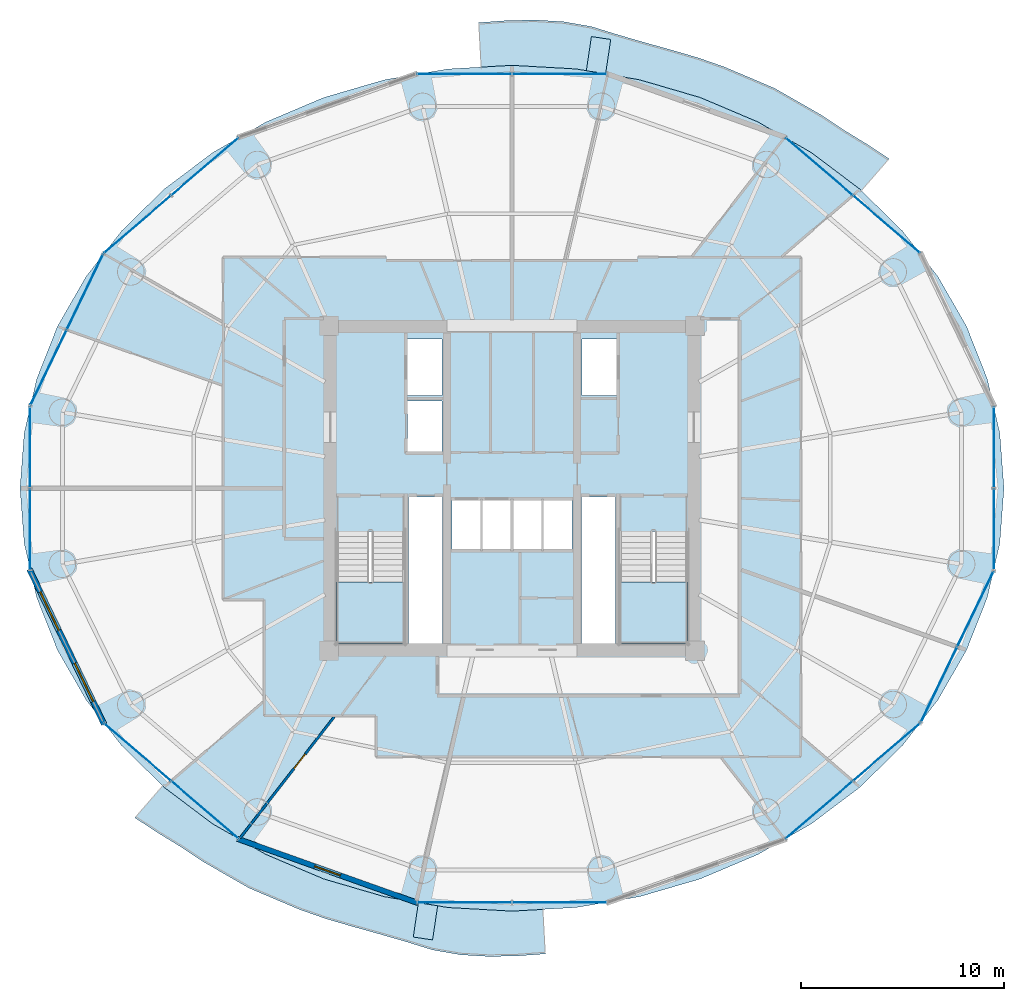
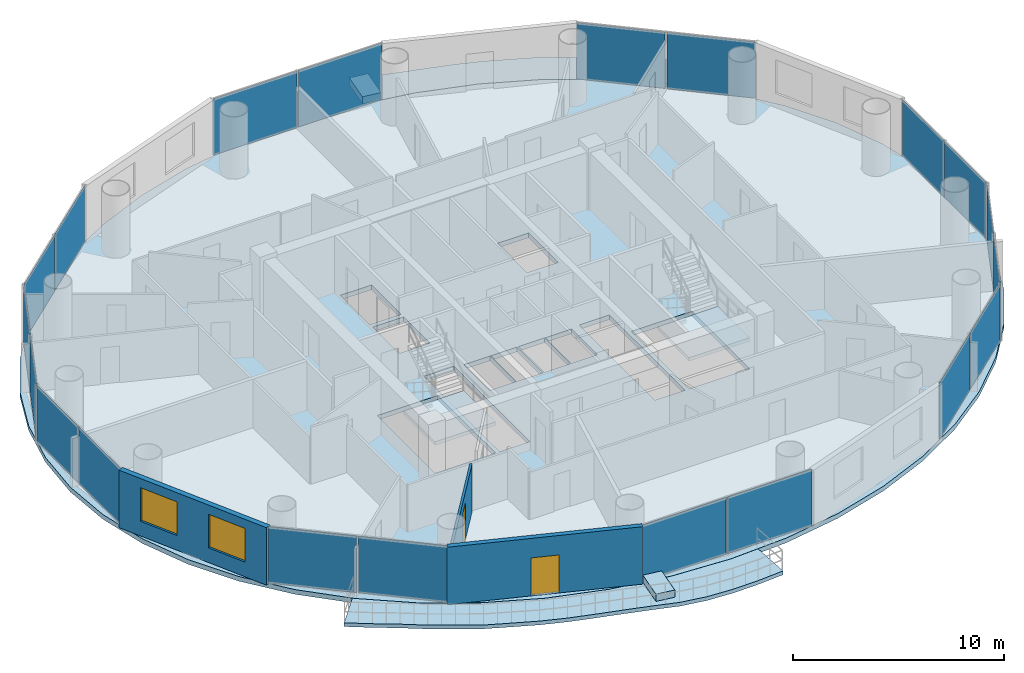
# One storey, part 19 of 26: 20 plates, 7 slabs, 3 walls, 2 doors, 2 windows, 4 openings, 12 elements without a shape of their own.
"""IFC4 building model written with IfcOpenShell, lengths in metres."""

from ifc_helpers import new_model, si_unit, direction, frame, frame_2d, origin, origin_2d, place, context, subcontext, project, spatial, polyline, rectangle, outline, extrude, source, transform, mapped, material, layer, layer_set, type_object, element, fill, aggregate, save


model = new_model("IFC4")

# Units and contexts
model_context = context("Model", 3, precision=1e-05, world=origin(), true_north=direction((-0.2419218956, 0.970295726276)))
body_context = subcontext(model_context, "Body", "Model", "MODEL_VIEW")
ifc_project = project(units=[si_unit("LENGTHUNIT", "METRE"), si_unit("AREAUNIT", "SQUARE_METRE"), si_unit("VOLUMEUNIT", "CUBIC_METRE"), si_unit("PLANEANGLEUNIT", "RADIAN"), si_unit("MASSUNIT", "GRAM", prefix="KILO")], contexts=[model_context])

# Site, building, storey
site_placement = place(None, origin())
site = spatial("IfcSite", under=ifc_project, at=site_placement, CompositionType="ELEMENT")
building_placement = place(site_placement, origin())
building = spatial("IfcBuilding", under=site, at=building_placement, Name="Cobrevalo Terracotta Tower", CompositionType="ELEMENT")
storey_placement = place(building_placement, frame((0.0, 0.0, 178.60009765625)))
storey = spatial("IfcBuildingStorey", under=building, at=storey_placement, Name="L47", CompositionType="ELEMENT", Elevation=178.60009765625)

# Stair, slab
ifc_material_1 = material(Name="Concrete C50", Category="concrete")
stair_type = type_object("IfcStairType", Name="Core protected escape dogleg stair 1600", PredefinedType="HALF_TURN_STAIR", material=ifc_material_1)
stair_1_placement = place(storey_placement, origin())
stair_1 = element("IfcStair", 1, at=stair_1_placement, inside=storey, type_object=stair_type, Name="L47 Protected exit stair ST-1", PredefinedType="HALF_TURN_STAIR")
ifc_layer_1 = layer(ifc_material_1, 0.199951171875)
ifc_layer_set_1 = layer_set([ifc_layer_1], Name="Concrete C50")
slab_type_1 = type_object("IfcSlabType", Name="Reinforced Concrete Stair Landing 200", PredefinedType="LANDING", material=ifc_layer_set_1)
slab_1_placement = place(storey_placement, frame((0.0, 0.0, 1.599853515625)))
slab_1 = element("IfcSlab", 2, at=slab_1_placement, type_object=slab_type_1, Name="ST-1 landing 1", PredefinedType="LANDING", context=body_context, shape_type="SweptSolid", body=[
    extrude(outline(polyline([(29.375, 22.179931640625), (29.375, 19.175048828125), (32.695068359375, 19.175048828125), (32.695068359375, 22.179931640625), (29.375, 22.179931640625)])), origin(), (0.0, 0.0, 1.0), 0.199951171875),
])
aggregate(stair_1, [slab_1])

stair_2_placement = place(storey_placement, origin())
stair_2 = element("IfcStair", 3, at=stair_2_placement, inside=storey, type_object=stair_type, Name="L47 Protected exit stair ST-2", PredefinedType="HALF_TURN_STAIR")
slab_2_placement = place(storey_placement, frame((0.0, 0.0, 1.599853515625)))
slab_2 = element("IfcSlab", 4, at=slab_2_placement, type_object=slab_type_1, Name="ST-2 landing 1", PredefinedType="LANDING", context=body_context, shape_type="SweptSolid", body=[
    extrude(outline(polyline([(43.304931640625, 22.179931640625), (43.304931640625, 19.175048828125), (46.625, 19.175048828125), (46.625, 22.179931640625), (43.304931640625, 22.179931640625)])), origin(), (0.0, 0.0, 1.0), 0.199951171875),
])
aggregate(stair_2, [slab_2])

# Slabs
ifc_material_2 = material(Name="Concrete C45", Category="concrete")
ifc_layer_2 = layer(ifc_material_2, 0.219970703125)
ifc_layer_set_2 = layer_set([ifc_layer_2], Name="Concrete C45")
slab_type_2 = type_object("IfcSlabType", Name="Spiralling cantilevered balcony lobe slab 220 mm", PredefinedType="FLOOR", material=ifc_layer_set_2)
slab_3_placement = place(storey_placement, frame((0.0, 0.0, -0.22021484375)))
element("IfcSlab", 5, at=slab_3_placement, inside=storey, type_object=slab_type_2, Name="L47 spiralling arc balcony slab lobe 1", PredefinedType="FLOOR", context=body_context, shape_type="SweptSolid", body=[
    extrude(outline(polyline([(56.55712890625, 43.002685546875), (55.449462890625, 43.729248046875), (54.325927734375, 44.418212890625), (53.230224609375, 45.1474609375), (52.078369140625, 45.810546875), (50.925048828125, 46.468994140625), (49.686767578125, 46.99755859375), (48.44775390625, 47.521728515625), (47.1728515625, 47.968505859375), (45.867919921875, 48.35009765625), (44.558837890625, 48.715087890625), (43.23583984375, 49.09716796875), (41.9033203125, 49.509765625), (40.532958984375, 49.748779296875), (39.141357421875, 49.831298828125), (37.749755859375, 49.804931640625), (36.362548828125, 49.703125), (36.481201171875, 47.516357421875), (38.0, 47.60205078125), (41.158935546875, 47.424072265625), (44.263916015625, 46.893310546875), (47.26171875, 46.0185546875), (50.10107421875, 44.81494140625), (52.733154296875, 43.30322265625), (55.11328125, 41.50927734375), (55.19287109375, 41.43115234375), (56.55712890625, 43.002685546875)])), origin(), (0.0, 0.0, 1.0), 0.22021484375),
])
slab_4_placement = place(storey_placement, frame((0.0, 0.0, -0.22021484375)))
element("IfcSlab", 6, at=slab_4_placement, inside=storey, type_object=slab_type_2, Name="L47 spiralling arc balcony slab lobe 2", PredefinedType="FLOOR", context=body_context, shape_type="SweptSolid", body=[
    extrude(outline(polyline([(19.44287109375, 10.597412109375), (20.550537109375, 9.87060546875), (21.674072265625, 9.181884765625), (22.769775390625, 8.45263671875), (23.921630859375, 7.78955078125), (25.074951171875, 7.131103515625), (26.313232421875, 6.602294921875), (27.55224609375, 6.078369140625), (28.8271484375, 5.63134765625), (30.132080078125, 5.25), (31.441162109375, 4.885009765625), (32.76416015625, 4.502685546875), (34.0966796875, 4.09033203125), (35.467041015625, 3.851318359375), (36.858642578125, 3.7685546875), (38.250244140625, 3.795166015625), (39.637451171875, 3.89697265625), (39.518798828125, 6.08349609375), (38.0, 5.998046875), (34.841064453125, 6.176025390625), (31.736083984375, 6.706787109375), (28.73828125, 7.58154296875), (25.89892578125, 8.784912109375), (23.266845703125, 10.296630859375), (20.88671875, 12.0908203125), (20.80712890625, 12.168701171875), (19.44287109375, 10.597412109375)])), origin(), (0.0, 0.0, 1.0), 0.22021484375),
])
ifc_material_3 = material(Name="Precast concrete C45", Category="concrete")
ifc_layer_3 = layer(ifc_material_3, 0.419921875)
ifc_layer_set_3 = layer_set([ifc_layer_3], Name="Precast concrete C45")
slab_type_3 = type_object("IfcSlabType", Name="Structural tree planter trough base 420 mm", PredefinedType="USERDEFINED", material=ifc_layer_set_3)
slab_5_placement = place(storey_placement, origin())
element("IfcSlab", 7, at=slab_5_placement, inside=storey, type_object=slab_type_3, Name="L47 structural tree planter trough 1", ObjectType="PLANTER", PredefinedType="USERDEFINED", context=body_context, shape_type="SweptSolid", body=[
    extrude(outline(polyline([(42.605712890625, 47.193603515625), (42.8564453125, 48.875), (41.90673828125, 49.0166015625), (41.65625, 47.335205078125), (42.605712890625, 47.193603515625)])), origin(), (0.0, 0.0, 1.0), 0.419921875),
])
slab_6_placement = place(storey_placement, origin())
element("IfcSlab", 8, at=slab_6_placement, inside=storey, type_object=slab_type_3, Name="L47 structural tree planter trough 2", ObjectType="PLANTER", PredefinedType="USERDEFINED", context=body_context, shape_type="SweptSolid", body=[
    extrude(outline(polyline([(33.394287109375, 6.406494140625), (33.1435546875, 4.724853515625), (34.09326171875, 4.58349609375), (34.34375, 6.264892578125), (33.394287109375, 6.406494140625)])), origin(), (0.0, 0.0, 1.0), 0.419921875),
])
ifc_layer_4 = layer(ifc_material_1, 0.27001953125)
ifc_layer_set_4 = layer_set([ifc_layer_4], Name="Concrete C50")
slab_type_4 = type_object("IfcSlabType", Name="Zone Z3 elliptical floor plate 270 mm", PredefinedType="FLOOR", material=ifc_layer_set_4)
slab_7_placement = place(storey_placement, frame((0.0, 0.0, -0.27001953125)))
element("IfcSlab", 9, at=slab_7_placement, inside=storey, type_object=slab_type_4, Name="L47 indoor elliptical floor slab", PredefinedType="FLOOR", context=body_context, shape_type="SweptSolid", body=[
    extrude(outline(polyline([(61.992919921875, 24.0849609375), (61.37548828125, 21.41650390625), (60.35791015625, 18.840087890625), (58.957763671875, 16.39990234375), (57.19921875, 14.1376953125), (55.112060546875, 12.09228515625), (52.73193359375, 10.29833984375), (50.10009765625, 8.78662109375), (47.260986328125, 7.583251953125), (44.263427734375, 6.708740234375), (41.15869140625, 6.177978515625), (38.0, 6.0), (34.84130859375, 6.177978515625), (31.736572265625, 6.708740234375), (28.739013671875, 7.583251953125), (25.89990234375, 8.78662109375), (23.26806640625, 10.29833984375), (20.887939453125, 12.09228515625), (18.80078125, 14.1376953125), (17.042236328125, 16.39990234375), (15.64208984375, 18.840087890625), (14.62451171875, 21.41650390625), (14.007080078125, 24.0849609375), (13.800048828125, 26.800048828125), (14.007080078125, 29.514892578125), (14.62451171875, 32.183349609375), (15.64208984375, 34.759765625), (17.042236328125, 37.199951171875), (18.80078125, 39.462158203125), (20.887939453125, 41.5078125), (23.26806640625, 43.3017578125), (25.89990234375, 44.813232421875), (28.739013671875, 46.0166015625), (31.736572265625, 46.891357421875), (34.84130859375, 47.422119140625), (38.0, 47.60009765625), (41.15869140625, 47.422119140625), (44.263427734375, 46.891357421875), (47.260986328125, 46.0166015625), (50.10009765625, 44.813232421875), (52.73193359375, 43.3017578125), (55.112060546875, 41.5078125), (57.19921875, 39.462158203125), (58.957763671875, 37.199951171875), (60.35791015625, 34.759765625), (61.37548828125, 32.183349609375), (61.992919921875, 29.514892578125), (62.199951171875, 26.800048828125), (61.992919921875, 24.0849609375)]), holes=[polyline([(32.695068359375, 19.175048828125), (32.695068359375, 24.659912109375), (29.375, 24.659912109375), (29.375, 19.175048828125), (32.695068359375, 19.175048828125)]), polyline([(34.574951171875, 26.360107421875), (32.919921875, 26.360107421875), (32.919921875, 19.175048828125), (34.574951171875, 19.175048828125), (34.574951171875, 26.360107421875)]), polyline([(36.47998046875, 26.25), (35.050048828125, 26.25), (35.050048828125, 23.800048828125), (36.47998046875, 23.800048828125), (36.47998046875, 26.25)]), polyline([(37.9599609375, 23.800048828125), (37.9599609375, 26.25), (36.530029296875, 26.25), (36.530029296875, 23.800048828125), (37.9599609375, 23.800048828125)]), polyline([(34.550048828125, 28.60009765625), (34.550048828125, 31.10009765625), (32.85009765625, 31.10009765625), (32.85009765625, 28.60009765625), (34.550048828125, 28.60009765625)]), polyline([(34.550048828125, 34.14990234375), (32.85009765625, 34.14990234375), (32.85009765625, 31.35009765625), (34.550048828125, 31.35009765625), (34.550048828125, 34.14990234375)]), polyline([(43.304931640625, 19.175048828125), (46.625, 19.175048828125), (46.625, 24.659912109375), (43.304931640625, 24.659912109375), (43.304931640625, 19.175048828125)]), polyline([(43.080078125, 19.175048828125), (43.080078125, 26.360107421875), (41.425048828125, 26.360107421875), (41.425048828125, 19.175048828125), (43.080078125, 19.175048828125)]), polyline([(39.469970703125, 26.25), (38.0400390625, 26.25), (38.0400390625, 23.800048828125), (39.469970703125, 23.800048828125), (39.469970703125, 26.25)]), polyline([(40.949951171875, 23.800048828125), (40.949951171875, 26.25), (39.52001953125, 26.25), (39.52001953125, 23.800048828125), (40.949951171875, 23.800048828125)]), polyline([(43.14990234375, 31.35009765625), (43.14990234375, 34.14990234375), (41.449951171875, 34.14990234375), (41.449951171875, 31.35009765625), (43.14990234375, 31.35009765625)])]), origin(), (0.0, 0.0, 1.0), 0.27001953125),
])

# Curtain wall, plates
ifc_material_4 = material(Name="Anodized aluminium", Category="aluminium")
curtain_wall_type = type_object("IfcCurtainWallType", Name="Mid-tower high-wind unitised curtain wall CW-U2", PredefinedType="NOTDEFINED", material=ifc_material_4)
curtain_wall_1_placement = place(storey_placement, origin())
curtain_wall_1 = element("IfcCurtainWall", 10, at=curtain_wall_1_placement, inside=storey, type_object=curtain_wall_type, Name="L47 curtain wall CW-L47-S02", PredefinedType="NOTDEFINED")
ifc_material_5 = material(Name="Solar-control low-E double glazing", Category="glass")
ifc_layer_5 = layer(ifc_material_5, 0.028076171875)
ifc_layer_set_5 = layer_set([ifc_layer_5], Name="Solar-control low-E double glazing")
plate_type = type_object("IfcPlateType", Name="Tower solar-control low-E vision glass panel 28 mm", PredefinedType="CURTAIN_PANEL", material=ifc_layer_set_5)
shared_shape_1 = source(origin(), body_context, "Body", "SweptSolid", [
    extrude(rectangle(XDim=4.276123046875, YDim=0.035888671875, at=origin_2d()), origin(), (0.0, 0.0, 1.0), 3.25),
])
plate_1_placement = place(storey_placement, frame((56.414306640625, 39.784912109375, 0.039794921875), z_axis=(0.0, 0.0, 1.0), x_axis=(-0.758436996112, 0.651746363955, 0.0)))
plate_1 = element("IfcPlate", 11, at=plate_1_placement, type_object=plate_type, Name="CW-L47-S02 glazing panel B01", PredefinedType="CURTAIN_PANEL", context=body_context, shape_type="MappedRepresentation", body=[
    mapped(shared_shape_1, transform((0.0, 0.0, 0.0), scale=1.0)),
])
plate_2_placement = place(storey_placement, frame((53.1103515625, 42.6240234375, 0.039794921875), z_axis=(0.0, 0.0, 1.0), x_axis=(-0.758436996112, 0.651746363955, 0.0)))
plate_2 = element("IfcPlate", 12, at=plate_2_placement, type_object=plate_type, Name="CW-L47-S02 glazing panel B02", PredefinedType="CURTAIN_PANEL", context=body_context, shape_type="MappedRepresentation", body=[
    mapped(shared_shape_1, transform((0.0, 0.0, 0.0), scale=1.0)),
])
aggregate(curtain_wall_1, [plate_1, plate_2])

curtain_wall_2_placement = place(storey_placement, origin())
curtain_wall_2 = element("IfcCurtainWall", 13, at=curtain_wall_2_placement, inside=storey, type_object=curtain_wall_type, Name="L47 curtain wall CW-L47-S06", PredefinedType="NOTDEFINED")
plate_3_placement = place(storey_placement, frame((22.8896484375, 42.6240234375, 0.039794921875), z_axis=(0.0, 0.0, 1.0), x_axis=(-0.758436996112, -0.651746363955, 0.0)))
plate_3 = element("IfcPlate", 14, at=plate_3_placement, type_object=plate_type, Name="CW-L47-S06 glazing panel B01", PredefinedType="CURTAIN_PANEL", context=body_context, shape_type="MappedRepresentation", body=[
    mapped(shared_shape_1, transform((0.0, 0.0, 0.0), scale=1.0)),
])
plate_4_placement = place(storey_placement, frame((19.585693359375, 39.784912109375, 0.039794921875), z_axis=(0.0, 0.0, 1.0), x_axis=(-0.758436996112, -0.651746363955, 0.0)))
plate_4 = element("IfcPlate", 15, at=plate_4_placement, type_object=plate_type, Name="CW-L47-S06 glazing panel B02", PredefinedType="CURTAIN_PANEL", context=body_context, shape_type="MappedRepresentation", body=[
    mapped(shared_shape_1, transform((0.0, 0.0, 0.0), scale=1.0)),
])
aggregate(curtain_wall_2, [plate_3, plate_4])

curtain_wall_3_placement = place(storey_placement, origin())
curtain_wall_3 = element("IfcCurtainWall", 16, at=curtain_wall_3_placement, inside=storey, type_object=curtain_wall_type, Name="L47 curtain wall CW-L47-S10", PredefinedType="NOTDEFINED")
plate_5_placement = place(storey_placement, frame((19.585693359375, 13.815185546875, 0.039794921875), z_axis=(0.0, 0.0, 1.0), x_axis=(0.758436996112, -0.651746363955, 0.0)))
plate_5 = element("IfcPlate", 17, at=plate_5_placement, type_object=plate_type, Name="CW-L47-S10 glazing panel B01", PredefinedType="CURTAIN_PANEL", context=body_context, shape_type="MappedRepresentation", body=[
    mapped(shared_shape_1, transform((0.0, 0.0, 0.0), scale=1.0)),
])
plate_6_placement = place(storey_placement, frame((22.8896484375, 10.97607421875, 0.039794921875), z_axis=(0.0, 0.0, 1.0), x_axis=(0.758436996112, -0.651746363955, 0.0)))
plate_6 = element("IfcPlate", 18, at=plate_6_placement, type_object=plate_type, Name="CW-L47-S10 glazing panel B02", PredefinedType="CURTAIN_PANEL", context=body_context, shape_type="MappedRepresentation", body=[
    mapped(shared_shape_1, transform((0.0, 0.0, 0.0), scale=1.0)),
])
aggregate(curtain_wall_3, [plate_5, plate_6])

curtain_wall_4_placement = place(storey_placement, origin())
curtain_wall_4 = element("IfcCurtainWall", 19, at=curtain_wall_4_placement, inside=storey, type_object=curtain_wall_type, Name="L47 curtain wall CW-L47-S14", PredefinedType="NOTDEFINED")
plate_7_placement = place(storey_placement, frame((53.1103515625, 10.97607421875, 0.039794921875), z_axis=(0.0, 0.0, 1.0), x_axis=(0.758436996112, 0.651746363955, 0.0)))
plate_7 = element("IfcPlate", 20, at=plate_7_placement, type_object=plate_type, Name="CW-L47-S14 glazing panel B01", PredefinedType="CURTAIN_PANEL", context=body_context, shape_type="MappedRepresentation", body=[
    mapped(shared_shape_1, transform((0.0, 0.0, 0.0), scale=1.0)),
])
plate_8_placement = place(storey_placement, frame((56.414306640625, 13.815185546875, 0.039794921875), z_axis=(0.0, 0.0, 1.0), x_axis=(0.758436996112, 0.651746363955, 0.0)))
plate_8 = element("IfcPlate", 21, at=plate_8_placement, type_object=plate_type, Name="CW-L47-S14 glazing panel B02", PredefinedType="CURTAIN_PANEL", context=body_context, shape_type="MappedRepresentation", body=[
    mapped(shared_shape_1, transform((0.0, 0.0, 0.0), scale=1.0)),
])
aggregate(curtain_wall_4, [plate_7, plate_8])

curtain_wall_5_placement = place(storey_placement, origin())
curtain_wall_5 = element("IfcCurtainWall", 22, at=curtain_wall_5_placement, inside=storey, type_object=curtain_wall_type, Name="L47 curtain wall CW-L47-S04", PredefinedType="NOTDEFINED")
shared_shape_2 = source(origin(), body_context, "Body", "SweptSolid", [
    extrude(rectangle(XDim=4.59521484375, YDim=0.035888671875, at=origin_2d()), origin(), (0.0, 0.0, 1.0), 3.25),
])
plate_9_placement = place(storey_placement, frame((40.337646484375, 47.1708984375, 0.039794921875), z_axis=(0.0, 0.0, 1.0), x_axis=(-1.0, 0.0, 0.0)))
plate_9 = element("IfcPlate", 23, at=plate_9_placement, type_object=plate_type, Name="CW-L47-S04 glazing panel B01", PredefinedType="CURTAIN_PANEL", context=body_context, shape_type="MappedRepresentation", body=[
    mapped(shared_shape_2, transform((0.0, 0.0, 0.0), scale=1.0)),
])
plate_10_placement = place(storey_placement, frame((35.662353515625, 47.1708984375, 0.039794921875), z_axis=(0.0, 0.0, 1.0), x_axis=(-1.0, 0.0, 0.0)))
plate_10 = element("IfcPlate", 24, at=plate_10_placement, type_object=plate_type, Name="CW-L47-S04 glazing panel B02", PredefinedType="CURTAIN_PANEL", context=body_context, shape_type="MappedRepresentation", body=[
    mapped(shared_shape_2, transform((0.0, 0.0, 0.0), scale=1.0)),
])
aggregate(curtain_wall_5, [plate_9, plate_10])

curtain_wall_6_placement = place(storey_placement, origin())
curtain_wall_6 = element("IfcCurtainWall", 25, at=curtain_wall_6_placement, inside=storey, type_object=curtain_wall_type, Name="L47 curtain wall CW-L47-S12", PredefinedType="NOTDEFINED")
plate_11_placement = place(storey_placement, frame((35.662353515625, 6.42919921875, 0.039794921875), z_axis=(0.0, 0.0, 1.0), x_axis=(1.0, 0.0, 0.0)))
plate_11 = element("IfcPlate", 26, at=plate_11_placement, type_object=plate_type, Name="CW-L47-S12 glazing panel B01", PredefinedType="CURTAIN_PANEL", context=body_context, shape_type="MappedRepresentation", body=[
    mapped(shared_shape_2, transform((0.0, 0.0, 0.0), scale=1.0)),
])
plate_12_placement = place(storey_placement, frame((40.337646484375, 6.42919921875, 0.039794921875), z_axis=(0.0, 0.0, 1.0), x_axis=(1.0, 0.0, 0.0)))
plate_12 = element("IfcPlate", 27, at=plate_12_placement, type_object=plate_type, Name="CW-L47-S12 glazing panel B02", PredefinedType="CURTAIN_PANEL", context=body_context, shape_type="MappedRepresentation", body=[
    mapped(shared_shape_2, transform((0.0, 0.0, 0.0), scale=1.0)),
])
aggregate(curtain_wall_6, [plate_11, plate_12])

curtain_wall_7_placement = place(storey_placement, origin())
curtain_wall_7 = element("IfcCurtainWall", 28, at=curtain_wall_7_placement, inside=storey, type_object=curtain_wall_type, Name="L47 curtain wall CW-L47-S07", PredefinedType="NOTDEFINED")
shared_shape_3 = source(origin(), body_context, "Body", "SweptSolid", [
    extrude(rectangle(XDim=4.035888671875, YDim=0.035888671875, at=origin_2d()), origin(), (0.0, 0.0, 1.0), 3.25),
])
plate_13_placement = place(storey_placement, frame((16.992431640625, 36.449462890625, 0.039794921875), z_axis=(0.0, 0.0, 1.0), x_axis=(-0.434209440271, -0.900811945957, 0.0)))
plate_13 = element("IfcPlate", 29, at=plate_13_placement, type_object=plate_type, Name="CW-L47-S07 glazing panel B01", PredefinedType="CURTAIN_PANEL", context=body_context, shape_type="MappedRepresentation", body=[
    mapped(shared_shape_3, transform((0.0, 0.0, 0.0), scale=1.0)),
])
plate_14_placement = place(storey_placement, frame((15.205322265625, 32.741943359375, 0.039794921875), z_axis=(0.0, 0.0, 1.0), x_axis=(-0.434209440271, -0.900811945957, 0.0)))
plate_14 = element("IfcPlate", 30, at=plate_14_placement, type_object=plate_type, Name="CW-L47-S07 glazing panel B02", PredefinedType="CURTAIN_PANEL", context=body_context, shape_type="MappedRepresentation", body=[
    mapped(shared_shape_3, transform((0.0, 0.0, 0.0), scale=1.0)),
])
aggregate(curtain_wall_7, [plate_13, plate_14])

curtain_wall_8_placement = place(storey_placement, origin())
curtain_wall_8 = element("IfcCurtainWall", 31, at=curtain_wall_8_placement, inside=storey, type_object=curtain_wall_type, Name="L47 curtain wall CW-L47-S15", PredefinedType="NOTDEFINED")
plate_15_placement = place(storey_placement, frame((59.007568359375, 17.150634765625, 0.039794921875), z_axis=(0.0, 0.0, 1.0), x_axis=(0.434209440271, 0.900811945957, 0.0)))
plate_15 = element("IfcPlate", 32, at=plate_15_placement, type_object=plate_type, Name="CW-L47-S15 glazing panel B01", PredefinedType="CURTAIN_PANEL", context=body_context, shape_type="MappedRepresentation", body=[
    mapped(shared_shape_3, transform((0.0, 0.0, 0.0), scale=1.0)),
])
plate_16_placement = place(storey_placement, frame((60.794677734375, 20.858154296875, 0.039794921875), z_axis=(0.0, 0.0, 1.0), x_axis=(0.434209440271, 0.900811945957, 0.0)))
plate_16 = element("IfcPlate", 33, at=plate_16_placement, type_object=plate_type, Name="CW-L47-S15 glazing panel B02", PredefinedType="CURTAIN_PANEL", context=body_context, shape_type="MappedRepresentation", body=[
    mapped(shared_shape_3, transform((0.0, 0.0, 0.0), scale=1.0)),
])
aggregate(curtain_wall_8, [plate_15, plate_16])

curtain_wall_9_placement = place(storey_placement, origin())
curtain_wall_9 = element("IfcCurtainWall", 34, at=curtain_wall_9_placement, inside=storey, type_object=curtain_wall_type, Name="L47 curtain wall CW-L47-S08", PredefinedType="NOTDEFINED")
shared_shape_4 = source(origin(), body_context, "Body", "SweptSolid", [
    extrude(rectangle(XDim=3.931884765625, YDim=0.035888671875, at=origin_2d()), origin(), (0.0, 0.0, 1.0), 3.25),
])
plate_17_placement = place(storey_placement, frame((14.29443359375, 28.805908203125, 0.039794921875), z_axis=(0.0, 0.0, 1.0), x_axis=(0.0, -1.0, 0.0)))
plate_17 = element("IfcPlate", 35, at=plate_17_placement, type_object=plate_type, Name="CW-L47-S08 glazing panel B01", PredefinedType="CURTAIN_PANEL", context=body_context, shape_type="MappedRepresentation", body=[
    mapped(shared_shape_4, transform((0.0, 0.0, 0.0), scale=1.0)),
])
plate_18_placement = place(storey_placement, frame((14.29443359375, 24.7939453125, 0.039794921875), z_axis=(0.0, 0.0, 1.0), x_axis=(0.0, -1.0, 0.0)))
plate_18 = element("IfcPlate", 36, at=plate_18_placement, type_object=plate_type, Name="CW-L47-S08 glazing panel B02", PredefinedType="CURTAIN_PANEL", context=body_context, shape_type="MappedRepresentation", body=[
    mapped(shared_shape_4, transform((0.0, 0.0, 0.0), scale=1.0)),
])
aggregate(curtain_wall_9, [plate_17, plate_18])

curtain_wall_10_placement = place(storey_placement, origin())
curtain_wall_10 = element("IfcCurtainWall", 37, at=curtain_wall_10_placement, inside=storey, type_object=curtain_wall_type, Name="L47 curtain wall CW-L47-S16", PredefinedType="NOTDEFINED")
plate_19_placement = place(storey_placement, frame((61.70556640625, 24.7939453125, 0.039794921875), z_axis=(0.0, 0.0, 1.0), x_axis=(0.0, 1.0, 0.0)))
plate_19 = element("IfcPlate", 38, at=plate_19_placement, type_object=plate_type, Name="CW-L47-S16 glazing panel B01", PredefinedType="CURTAIN_PANEL", context=body_context, shape_type="MappedRepresentation", body=[
    mapped(shared_shape_4, transform((0.0, 0.0, 0.0), scale=1.0)),
])
plate_20_placement = place(storey_placement, frame((61.70556640625, 28.805908203125, 0.039794921875), z_axis=(0.0, 0.0, 1.0), x_axis=(0.0, 1.0, 0.0)))
plate_20 = element("IfcPlate", 39, at=plate_20_placement, type_object=plate_type, Name="CW-L47-S16 glazing panel B02", PredefinedType="CURTAIN_PANEL", context=body_context, shape_type="MappedRepresentation", body=[
    mapped(shared_shape_4, transform((0.0, 0.0, 0.0), scale=1.0)),
])
aggregate(curtain_wall_10, [plate_19, plate_20])

# Wall, openings, windows
ifc_material_6 = material(Name="Autoclaved aerated concrete block", Category="concrete")
ifc_layer_6 = layer(ifc_material_6, 0.280029296875)
ifc_layer_set_6 = layer_set([ifc_layer_6], Name="Autoclaved aerated concrete block")
wall_type_1 = type_object("IfcWallType", Name="Insulated tower spandrel & pier wall 280 mm with terracotta rainscreen", PredefinedType="SOLIDWALL", material=ifc_layer_set_6)
wall_1_placement = place(storey_placement, frame((14.259765625, 22.820068359375, 0.0), z_axis=(0.0, 0.0, 1.0), x_axis=(0.434209827226, -0.900811759437, 0.0)))
wall_1 = element("IfcWall", 40, at=wall_1_placement, inside=storey, type_object=wall_type_1, Name="L47 terracotta rainscreen pier wall S09", PredefinedType="SOLIDWALL", context=body_context, shape_type="SweptSolid", body=[
    extrude(rectangle(XDim=8.4716796875, YDim=0.280029296875, at=frame_2d((4.23583984375, 0.0))), origin(), (0.0, 0.0, 1.0), 3.329833984375),
])
opening_1_placement = place(wall_1_placement, frame((1.2373046875, 0.0, 0.85009765625)))
opening_1 = element("IfcOpeningElement", 41, at=opening_1_placement, cuts=wall_1, Name="Opening WN-10", PredefinedType="OPENING", context=body_context, shape_type="SweptSolid", body=[
    extrude(rectangle(XDim=2.10009765625, YDim=1.949951171875, at=frame_2d((1.050048828125, 0.97509765625))), frame((0.0, 0.14990234375, 0.0), z_axis=(0.0, -1.0, 0.0), x_axis=(1.0, 0.0, 0.0)), (0.0, 0.0, 1.0), 0.300048828125),
])
opening_2_placement = place(wall_1_placement, frame((5.13427734375, 0.0, 0.85009765625)))
opening_2 = element("IfcOpeningElement", 42, at=opening_2_placement, cuts=wall_1, Name="Opening WN-10", PredefinedType="OPENING", context=body_context, shape_type="SweptSolid", body=[
    extrude(rectangle(XDim=2.10009765625, YDim=1.949951171875, at=frame_2d((1.050048828125, 0.97509765625))), frame((0.0, 0.14990234375, 0.0), z_axis=(0.0, -1.0, 0.0), x_axis=(1.0, 0.0, 0.0)), (0.0, 0.0, 1.0), 0.300048828125),
])
window_type = type_object("IfcWindowType", Name="Wide panoramic low-E aluminium window 2100x1950", PartitioningType="SINGLE_PANEL", PredefinedType="WINDOW", material=ifc_material_5)
shared_shape_5 = source(origin(), body_context, "Body", "SweptSolid", [
    extrude(rectangle(XDim=2.10009765625, YDim=1.949951171875, at=frame_2d((1.050048828125, 0.97509765625))), frame((0.0, 0.030029296875, 0.0), z_axis=(0.0, -1.0, 0.0), x_axis=(1.0, 0.0, 0.0)), (0.0, 0.0, 1.0), 0.06005859375),
])
window_1_placement = place(opening_1_placement, origin())
window_1 = element("IfcWindow", 43, at=window_1_placement, inside=storey, type_object=window_type, Name="L47 suite window S09A", OverallHeight=1.949951171875, OverallWidth=2.10009765625, PartitioningType="SINGLE_PANEL", PredefinedType="WINDOW", context=body_context, shape_type="MappedRepresentation", body=[
    mapped(shared_shape_5, transform((0.0, 0.0, 0.0), scale=1.0)),
])
fill(opening_1, window_1)
window_2_placement = place(opening_2_placement, origin())
window_2 = element("IfcWindow", 44, at=window_2_placement, inside=storey, type_object=window_type, Name="L47 suite window S09B", OverallHeight=1.949951171875, OverallWidth=2.10009765625, PartitioningType="SINGLE_PANEL", PredefinedType="WINDOW", context=body_context, shape_type="MappedRepresentation", body=[
    mapped(shared_shape_5, transform((0.0, 0.0, 0.0), scale=1.0)),
])
fill(opening_2, window_2)

# Wall, opening, door
ifc_layer_7 = layer(ifc_material_6, 0.260009765625)
ifc_layer_set_7 = layer_set([ifc_layer_7], Name="Autoclaved aerated concrete block")
wall_type_2 = type_object("IfcWallType", Name="Recessed balcony loggia insulated exterior wall 260 mm", PredefinedType="SOLIDWALL", material=ifc_layer_set_7)
wall_2_placement = place(storey_placement, frame((24.49658203125, 9.55712890625, 0.0), z_axis=(0.0, 0.0, 1.0), x_axis=(0.942103604331, -0.335321932934, 0.0)))
wall_2 = element("IfcWall", 45, at=wall_2_placement, inside=storey, type_object=wall_type_2, Name="L47 balcony loggia wall S11", PredefinedType="SOLIDWALL", context=body_context, shape_type="SweptSolid", body=[
    extrude(rectangle(XDim=9.408203125, YDim=0.260009765625, at=frame_2d((4.7041015625, 0.0))), origin(), (0.0, 0.0, 1.0), 3.329833984375),
])
opening_3_placement = place(wall_2_placement, frame((4.029052734375, 0.0, 0.0)))
opening_3 = element("IfcOpeningElement", 46, at=opening_3_placement, cuts=wall_2, Name="Opening ED-05", PredefinedType="OPENING", context=body_context, shape_type="SweptSolid", body=[
    extrude(rectangle(XDim=1.35009765625, YDim=2.199951171875, at=frame_2d((0.675048828125, 1.10009765625))), frame((0.0, 0.14013671875, 0.0), z_axis=(0.0, -1.0, 0.0), x_axis=(1.0, 0.0, 0.0)), (0.0, 0.0, 1.0), 0.280029296875),
])
ifc_material_7 = material(Name="Anodized aluminium and laminated glass", Category="aluminium")
door_type_1 = type_object("IfcDoorType", Name="Suite balcony acoustic glazed terrace door 1350x2200", OperationType="NOTDEFINED", PredefinedType="DOOR", material=ifc_material_7)
shared_shape_6 = source(origin(), body_context, "Body", "SweptSolid", [
    extrude(rectangle(XDim=1.35009765625, YDim=2.199951171875, at=frame_2d((0.675048828125, 1.10009765625))), frame((0.0, 0.02490234375, 0.0), z_axis=(0.0, -1.0, 0.0), x_axis=(1.0, 0.0, 0.0)), (0.0, 0.0, 1.0), 0.050048828125),
])
door_1_placement = place(opening_3_placement, frame((1.35009765625, 0.0, 0.0), z_axis=(0.0, 0.0, 1.0), x_axis=(-1.0, 0.0, 0.0)))
door_1 = element("IfcDoor", 47, at=door_1_placement, inside=storey, type_object=door_type_1, Name="L47 glazed balcony terrace door 2", OperationType="SINGLE_SWING_RIGHT", OverallHeight=2.199951171875, OverallWidth=1.35009765625, PredefinedType="DOOR", context=body_context, shape_type="MappedRepresentation", body=[
    mapped(shared_shape_6, transform((0.0, 0.0, 0.0), scale=1.0)),
])
fill(opening_3, door_1)

ifc_material_8 = material(Name="Gypsum board on steel stud", Category="steel")
ifc_layer_8 = layer(ifc_material_8, 0.1201171875)
ifc_layer_set_8 = layer_set([ifc_layer_8], Name="Gypsum board on steel stud")
wall_type_3 = type_object("IfcWallType", Name="Residential internal acoustic stud partition 120 mm", PredefinedType="PARTITIONING", material=ifc_layer_set_8)
wall_3_placement = place(storey_placement, frame((29.259033203125, 15.55615234375, 0.0), z_axis=(0.0, 0.0, 1.0), x_axis=(-0.61375493029, -0.789496602617, 0.0)))
wall_3 = element("IfcWall", 48, at=wall_3_placement, inside=storey, type_object=wall_type_3, Name="L47 interior partition IW-L47-U3-ORAD2M1", PredefinedType="PARTITIONING", context=body_context, shape_type="SweptSolid", body=[
    extrude(rectangle(XDim=7.555908203125, YDim=0.1201171875, at=frame_2d((3.77783203125, 0.0))), origin(), (0.0, 0.0, 1.0), 2.77587890625),
])
opening_4_placement = place(wall_3_placement, frame((2.324951171875, 0.0, 0.0)))
opening_4 = element("IfcOpeningElement", 49, at=opening_4_placement, cuts=wall_3, Name="Opening ID-12", PredefinedType="OPENING", context=body_context, shape_type="SweptSolid", body=[
    extrude(rectangle(XDim=0.89990234375, YDim=2.14990234375, at=frame_2d((0.449951171875, 1.074951171875))), frame((0.0, 0.070068359375, 0.0), z_axis=(0.0, -1.0, 0.0), x_axis=(1.0, 0.0, 0.0)), (0.0, 0.0, 1.0), 0.14013671875),
])
ifc_material_9 = material(Name="Engineered timber", Category="wood")
door_type_2 = type_object("IfcDoorType", Name="Internal residence & suite timber door 900x2150", OperationType="NOTDEFINED", PredefinedType="DOOR", material=ifc_material_9)
shared_shape_7 = source(origin(), body_context, "Body", "SweptSolid", [
    extrude(rectangle(XDim=0.89990234375, YDim=2.14990234375, at=frame_2d((0.449951171875, 1.074951171875))), frame((0.0, 0.02490234375, 0.0), z_axis=(0.0, -1.0, 0.0), x_axis=(1.0, 0.0, 0.0)), (0.0, 0.0, 1.0), 0.050048828125),
])
door_2_placement = place(opening_4_placement, frame((0.89990234375, 0.0, 0.0), z_axis=(0.0, 0.0, 1.0), x_axis=(-1.0, 0.0, 0.0)))
door_2 = element("IfcDoor", 50, at=door_2_placement, inside=storey, type_object=door_type_2, Name="Flat L47C Master Bedroom internal door", OperationType="SINGLE_SWING_LEFT", OverallHeight=2.14990234375, OverallWidth=0.89990234375, PredefinedType="DOOR", context=body_context, shape_type="MappedRepresentation", body=[
    mapped(shared_shape_7, transform((0.0, 0.0, 0.0), scale=1.0)),
])
fill(opening_4, door_2)

save(model, "model.ifc")
